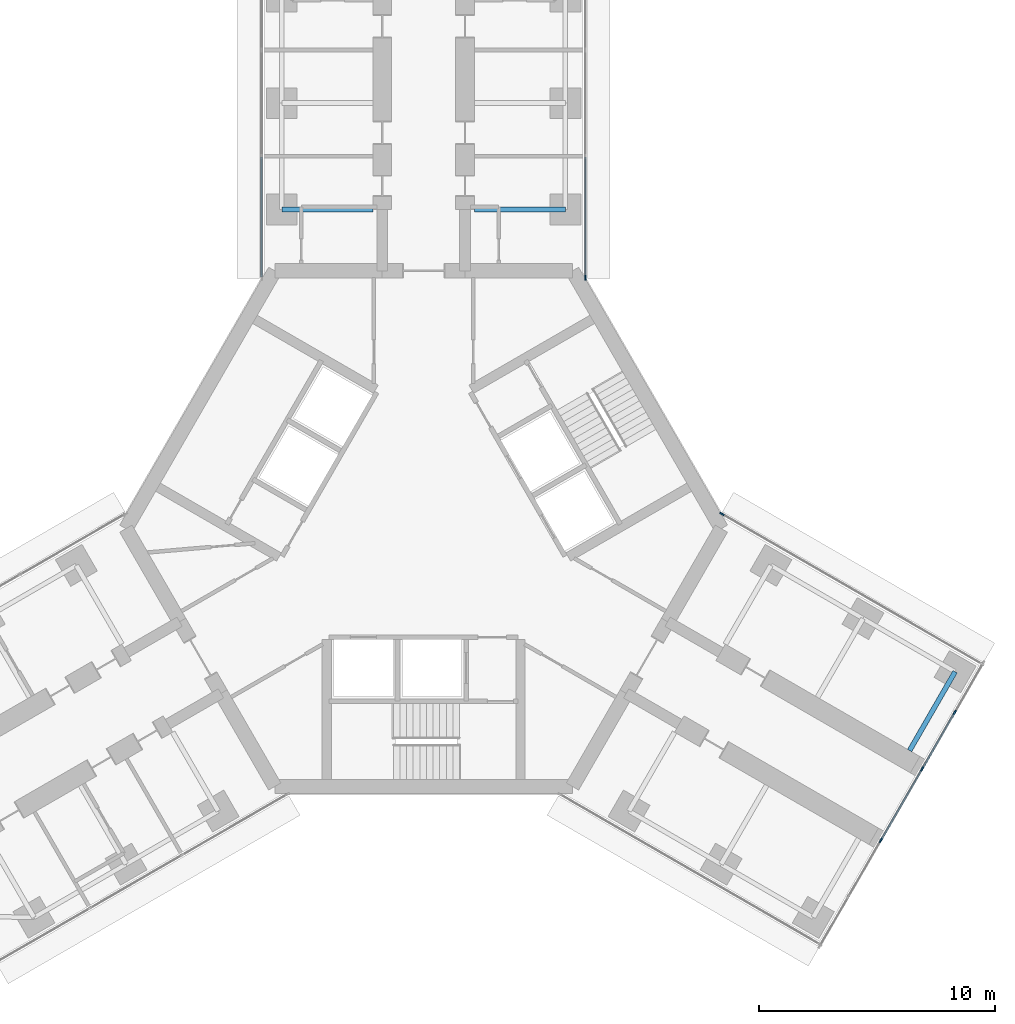
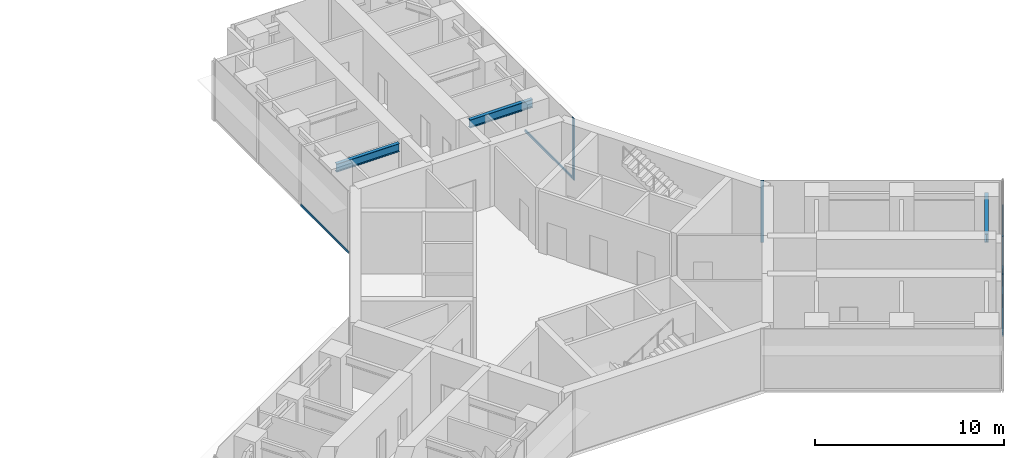
# One storey, part 10 of 22: 9 members, 3 beams, 4 elements without a shape of their own.
"""IFC4 building model written with IfcOpenShell, lengths in metres."""

from ifc_helpers import new_model, si_unit, direction, frame, origin, origin_2d, place, context, subcontext, project, spatial, rectangle, i_section, extrude, material, material_profile, profile_set, type_object, element, aggregate, save


model = new_model("IFC4")

# Units and contexts
model_context = context("Model", 3, precision=1e-05, world=origin(), true_north=direction((0.0, 1.0)))
body_context = subcontext(model_context, "Body", "Model", "MODEL_VIEW")
ifc_project = project(units=[si_unit("LENGTHUNIT", "METRE"), si_unit("AREAUNIT", "SQUARE_METRE"), si_unit("VOLUMEUNIT", "CUBIC_METRE"), si_unit("PLANEANGLEUNIT", "RADIAN"), si_unit("MASSUNIT", "GRAM", prefix="KILO")], contexts=[model_context])

# Site, building, storey
site_placement = place(None, origin())
site = spatial("IfcSite", under=ifc_project, at=site_placement, CompositionType="ELEMENT")
building_placement = place(site_placement, origin())
building = spatial("IfcBuilding", under=site, at=building_placement, Name="Upepo Twin Towers", CompositionType="ELEMENT")
storey_placement = place(building_placement, frame((0.0, 0.0, 133.5)))
storey = spatial("IfcBuildingStorey", under=building, at=storey_placement, Name="L32", CompositionType="ELEMENT", Elevation=133.5)

# Beams
ifc_material_1 = material(Name="Steel S355", Category="steel")
ifc_material_profile_1 = material_profile(ifc_material_1, i_section(OverallWidth=0.209228515625, OverallDepth=0.533203125, WebThickness=0.010009765625, FlangeThickness=0.015625, FilletRadius=0.0126953125, at=origin_2d()), Name="UB 533x210x92")
ifc_profile_set_1 = profile_set([ifc_material_profile_1], Name="Steel S355")
beam_type = type_object("IfcBeamType", Name="Beam UB 533x210x92", PredefinedType="BEAM", material=ifc_profile_set_1)
for number, where, z_axis, x_axis, name in (
    (1, (52.5, -4.5, 3.533447265625), (1.0, 0.0, 0.0), (0.0, 1.0, 0.0), "T2 girder AL at 13.5"),
    (2, (64.5, -4.5, 3.533447265625), (-1.0, 0.0, 0.0), (0.0, -1.0, 0.0), "T2 girder AR at 13.5"),
):
    element("IfcBeam", number, at=place(storey_placement, frame(where, z_axis=z_axis, x_axis=x_axis)), inside=storey, type_object=beam_type, Name=name, PredefinedType="BEAM", context=body_context, shape_type="SweptSolid", body=[
        extrude(i_section(OverallWidth=0.209228515625, OverallDepth=0.533203125, WebThickness=0.010009765625, FlangeThickness=0.015625, FilletRadius=0.0126953125, at=origin_2d()), origin(), (0.0, 0.0, 1.0), 3.85009765625),
    ])
beam_placement = place(storey_placement, frame((80.985595703125, -24.053955078125, 3.533447265625), z_axis=(-0.500033517596, -0.866006051527, 0.0), x_axis=(0.866006051527, -0.500033517596, 0.0)))
element("IfcBeam", 3, at=beam_placement, inside=storey, type_object=beam_type, Name="T2 girder CL at 22.5", PredefinedType="BEAM", context=body_context, shape_type="SweptSolid", body=[
    extrude(i_section(OverallWidth=0.209228515625, OverallDepth=0.533203125, WebThickness=0.010009765625, FlangeThickness=0.015625, FilletRadius=0.0126953125, at=origin_2d()), origin(), (0.0, 0.0, 1.0), 3.849853515625),
])

# Curtain wall, member
ifc_material_2 = material(Name="Aluminium and fritted glass", Category="aluminium")
curtain_wall_type = type_object("IfcCurtainWallType", Name="Tower curtain wall TW2, fritted glass", PredefinedType="NOTDEFINED", material=ifc_material_2)
curtain_wall_1_placement = place(storey_placement, origin())
curtain_wall_1 = element("IfcCurtainWall", 4, at=curtain_wall_1_placement, inside=storey, type_object=curtain_wall_type, Name="T2 L32 wing A flank R curtain wall", PredefinedType="NOTDEFINED")
ifc_material_3 = material(Name="Aluminium mullion", Category="aluminium")
ifc_material_profile_2 = material_profile(ifc_material_3, rectangle(XDim=0.06494140625, YDim=0.199951171875, at=origin_2d()), Name="MULLION 65x200")
ifc_profile_set_2 = profile_set([ifc_material_profile_2], Name="Aluminium mullion")
member_type_1 = type_object("IfcMemberType", Name="Mullion 65x200 TW2", PredefinedType="MULLION", material=ifc_profile_set_2)
member_1_placement = place(storey_placement, frame((65.35009765625, -7.38037109375, 0.0), z_axis=(0.0, 0.0, 1.0), x_axis=(1.0, 0.0, 0.0)))
member_1 = element("IfcMember", 5, at=member_1_placement, type_object=member_type_1, Name="T2 L32 wing A flank R curtain wall mullion 4", PredefinedType="MULLION", context=body_context, shape_type="SweptSolid", body=[
    extrude(rectangle(XDim=0.06494140625, YDim=0.199951171875, at=origin_2d()), origin(), (0.0, 0.0, 1.0), 4.0),
])

curtain_wall_2_placement = place(storey_placement, origin())
curtain_wall_2 = element("IfcCurtainWall", 6, at=curtain_wall_2_placement, inside=storey, type_object=curtain_wall_type, Name="T2 L32 wing C flank L curtain wall", PredefinedType="NOTDEFINED")
member_2_placement = place(storey_placement, frame((71.121826171875, -17.37744140625, 0.0), z_axis=(0.0, 0.0, 1.0), x_axis=(0.50000000792, 0.866025399212, 0.0)))
member_2 = element("IfcMember", 7, at=member_2_placement, type_object=member_type_1, Name="T2 L32 wing C flank L curtain wall mullion 1", PredefinedType="MULLION", context=body_context, shape_type="SweptSolid", body=[
    extrude(rectangle(XDim=0.06494140625, YDim=0.199951171875, at=origin_2d()), origin(), (0.0, 0.0, 1.0), 4.0),
])
aggregate(curtain_wall_2, [member_2])

# Curtain wall, members
curtain_wall_3_placement = place(storey_placement, origin())
curtain_wall_3 = element("IfcCurtainWall", 8, at=curtain_wall_3_placement, inside=storey, type_object=curtain_wall_type, Name="T2 L32 wing C nose curtain wall", PredefinedType="NOTDEFINED")
member_3_placement = place(storey_placement, frame((77.8466796875, -31.1904296875, 0.0), z_axis=(0.0, 0.0, 1.0), x_axis=(-0.866025419745, 0.499999972355, 0.0)))
member_3 = element("IfcMember", 9, at=member_3_placement, type_object=member_type_1, Name="T2 L32 wing C nose curtain wall mullion 3", PredefinedType="MULLION", context=body_context, shape_type="SweptSolid", body=[
    extrude(rectangle(XDim=0.06494140625, YDim=0.199951171875, at=origin_2d()), origin(), (0.0, 0.0, 1.0), 4.0),
])
member_4_placement = place(storey_placement, frame((79.5966796875, -28.159423828125, 0.0), z_axis=(0.0, 0.0, 1.0), x_axis=(-0.866025419745, 0.499999972355, 0.0)))
member_4 = element("IfcMember", 10, at=member_4_placement, type_object=member_type_1, Name="T2 L32 wing C nose curtain wall mullion 4", PredefinedType="MULLION", context=body_context, shape_type="SweptSolid", body=[
    extrude(rectangle(XDim=0.06494140625, YDim=0.199951171875, at=origin_2d()), origin(), (0.0, 0.0, 1.0), 4.0),
])
member_5_placement = place(storey_placement, frame((80.9716796875, -25.77783203125, 0.0), z_axis=(0.0, 0.0, 1.0), x_axis=(-0.866025419745, 0.499999972355, 0.0)))
member_5 = element("IfcMember", 11, at=member_5_placement, type_object=member_type_1, Name="T2 L32 wing C nose curtain wall mullion 5", PredefinedType="MULLION", context=body_context, shape_type="SweptSolid", body=[
    extrude(rectangle(XDim=0.06494140625, YDim=0.199951171875, at=origin_2d()), origin(), (0.0, 0.0, 1.0), 4.0),
])

# Curtain wall, member
curtain_wall_4_placement = place(storey_placement, origin())
curtain_wall_4 = element("IfcCurtainWall", 12, at=curtain_wall_4_placement, inside=storey, type_object=curtain_wall_type, Name="T2 L32 wing A flank L curtain wall", PredefinedType="NOTDEFINED")
ifc_material_4 = material(Name="Aluminium transom", Category="aluminium")
ifc_material_profile_3 = material_profile(ifc_material_4, rectangle(XDim=0.06494140625, YDim=0.14990234375, at=origin_2d()), Name="TRANSOM 65x150")
ifc_profile_set_3 = profile_set([ifc_material_profile_3], Name="Aluminium transom")
member_type_2 = type_object("IfcMemberType", Name="Transom 65x150 TW2", PredefinedType="USERDEFINED", material=ifc_profile_set_3)
member_6_placement = place(storey_placement, frame((51.64990234375, -7.347900390625, 0.074951171875), z_axis=(0.0, 1.0, 0.0), x_axis=(-1.0, 0.0, 0.0)))
member_6 = element("IfcMember", 13, at=member_6_placement, type_object=member_type_2, Name="T2 L32 wing A flank L curtain wall transom 1", ObjectType="TRANSOM", PredefinedType="USERDEFINED", context=body_context, shape_type="SweptSolid", body=[
    extrude(rectangle(XDim=0.06494140625, YDim=0.14990234375, at=origin_2d()), origin(), (0.0, 0.0, 1.0), 5.0654296875),
])
aggregate(curtain_wall_4, [member_6])

# Member
member_7_placement = place(storey_placement, frame((65.35009765625, -2.282470703125, 0.074951171875), z_axis=(0.0, -1.0, 0.0), x_axis=(1.0, 0.0, 0.0)))
member_7 = element("IfcMember", 14, at=member_7_placement, type_object=member_type_2, Name="T2 L32 wing A flank R curtain wall transom 3", ObjectType="TRANSOM", PredefinedType="USERDEFINED", context=body_context, shape_type="SweptSolid", body=[
    extrude(rectangle(XDim=0.06494140625, YDim=0.14990234375, at=origin_2d()), origin(), (0.0, 0.0, 1.0), 5.0654296875),
])

aggregate(curtain_wall_1, [member_1, member_7])

member_8_placement = place(storey_placement, frame((77.863037109375, -31.162353515625, 0.074951171875), z_axis=(0.499945997713, 0.866056579774, 0.0), x_axis=(-0.866056579774, 0.499945997713, 0.0)))
member_8 = element("IfcMember", 15, at=member_8_placement, type_object=member_type_2, Name="T2 L32 wing C nose curtain wall transom 3", ObjectType="TRANSOM", PredefinedType="USERDEFINED", context=body_context, shape_type="SweptSolid", body=[
    extrude(rectangle(XDim=0.06494140625, YDim=0.14990234375, at=origin_2d()), origin(), (0.0, 0.0, 1.0), 3.43505859375),
])

member_9_placement = place(storey_placement, frame((79.613037109375, -28.13134765625, 0.074951171875), z_axis=(0.49995335277, 0.8660523339, 0.0), x_axis=(-0.8660523339, 0.49995335277, 0.0)))
member_9 = element("IfcMember", 16, at=member_9_placement, type_object=member_type_2, Name="T2 L32 wing C nose curtain wall transom 4", ObjectType="TRANSOM", PredefinedType="USERDEFINED", context=body_context, shape_type="SweptSolid", body=[
    extrude(rectangle(XDim=0.06494140625, YDim=0.14990234375, at=origin_2d()), origin(), (0.0, 0.0, 1.0), 2.684814453125),
])

aggregate(curtain_wall_3, [member_3, member_4, member_5, member_8, member_9])

save(model, "model.ifc")
